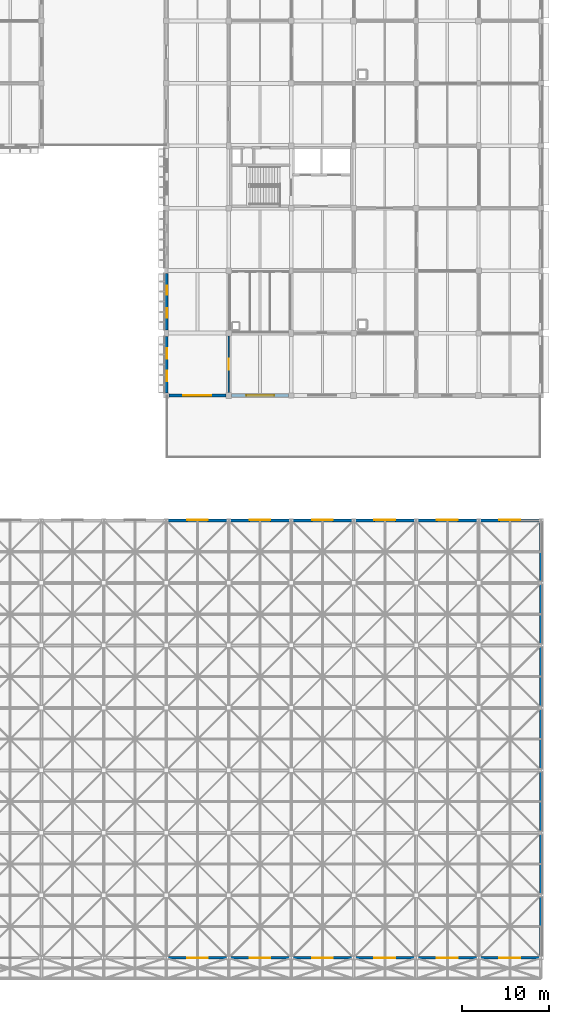
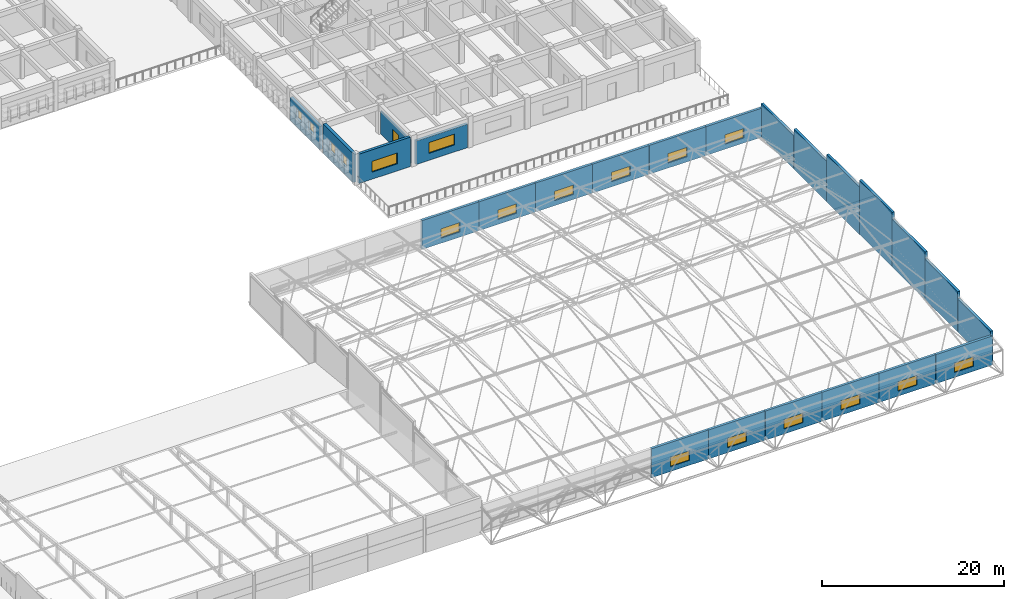
# One storey, part 91 of 103: 24 walls, 18 windows, 1 door, 19 openings.
"""IFC4 building model written with IfcOpenShell, lengths in metres."""

import ifcopenshell
import ifcopenshell.guid

model = None  # the IFC model being written
_history = None  # IfcOwnerHistory: only IFC2X3 demands one
_inside = {}  # id of a spatial element -> (the spatial element, [elements in it])
_under = {}  # id of a project, library or spatial element -> (it, [spatial elements below it])
_declared = {}  # id of a project -> (the project, [libraries it declares])
_typed = {}  # id of a type object -> (the type object, [elements of that type])
_made_of = {}  # id of a material, layer set ... -> (it, [elements and type objects made of it])


def new_model(schema):
    """Start an empty IFC model of exactly this schema.

    Asked for "IFC4X3", IfcOpenShell would pick the latest addendum, in which some entities
    have other attributes; the version numbers below select the first issue.
    IFC2X3 requires an IfcOwnerHistory on every rooted entity: one is made here for all.
    """
    global model, _history
    if schema == "IFC4X3":
        model = ifcopenshell.file(schema_version=(4, 3, 0, 0))
    else:
        model = ifcopenshell.file(schema=schema)
    _inside.clear()
    _under.clear()
    _declared.clear()
    _typed.clear()
    _made_of.clear()
    _history = None
    if model.schema == "IFC2X3":
        org = make("IfcOrganization", Name="unknown")
        user = make(
            "IfcPersonAndOrganization",
            ThePerson=make("IfcPerson", FamilyName="unknown"),
            TheOrganization=org,
        )
        app = make(
            "IfcApplication",
            ApplicationDeveloper=org,
            Version="unknown",
            ApplicationFullName="unknown",
            ApplicationIdentifier="unknown",
        )
        _history = make(
            "IfcOwnerHistory",
            OwningUser=user,
            OwningApplication=app,
            ChangeAction="ADDED",
            CreationDate=0,
        )
    return model


def make(cls, **values):
    """One entity of the class cls with the attributes given. An attribute that is None is left unset."""
    return model.create_entity(
        cls, **{name: value for name, value in values.items() if value is not None}
    )


def rooted(cls, **values):
    """An entity with a GlobalId (a new one), such as an element, a storey or a relation."""
    return make(cls, GlobalId=ifcopenshell.guid.new(), OwnerHistory=_history, **values)


def si_unit(unit_type, name, prefix=None):
    """IfcSIUnit, for example si_unit("LENGTHUNIT", "METRE", prefix="MILLI")."""
    return make("IfcSIUnit", UnitType=unit_type, Prefix=prefix, Name=name)


def assignment(units):
    """IfcUnitAssignment: the units of a project."""
    return None if units is None else make("IfcUnitAssignment", Units=units)


def point(xyz):
    """IfcCartesianPoint."""
    return None if xyz is None else make("IfcCartesianPoint", Coordinates=xyz)


def direction(xyz):
    """IfcDirection."""
    return None if xyz is None else make("IfcDirection", DirectionRatios=xyz)


def frame(location, z_axis=None, x_axis=None):
    """IfcAxis2Placement3D, a coordinate frame: its origin and axes. An axis left out is left unset."""
    return make(
        "IfcAxis2Placement3D",
        Location=point(location),
        Axis=direction(z_axis),
        RefDirection=direction(x_axis),
    )


def frame_2d(location, x_axis=None):
    """IfcAxis2Placement2D, a coordinate frame in the plane: its origin and x axis."""
    return make(
        "IfcAxis2Placement2D", Location=point(location), RefDirection=direction(x_axis)
    )


def origin():
    """The frame at (0, 0, 0) with its axes left unset."""
    return frame((0.0, 0.0, 0.0))


def place(relative_to, where):
    """IfcLocalPlacement: puts the frame where relative to a parent placement (None: the world)."""
    return make(
        "IfcLocalPlacement", PlacementRelTo=relative_to, RelativePlacement=where
    )


def context(
    kind, dimensions, precision=None, world=None, true_north=None, identifier=None
):
    """IfcGeometricRepresentationContext, for example the 3D "Model" context."""
    return make(
        "IfcGeometricRepresentationContext",
        ContextIdentifier=identifier,
        ContextType=kind,
        CoordinateSpaceDimension=dimensions,
        Precision=precision,
        WorldCoordinateSystem=world,
        TrueNorth=true_north,
    )


def subcontext(parent, identifier, kind, view, scale=None):
    """IfcGeometricRepresentationSubContext, for example "Body" below "Model"."""
    return make(
        "IfcGeometricRepresentationSubContext",
        ContextIdentifier=identifier,
        ContextType=kind,
        ParentContext=parent,
        TargetScale=scale,
        TargetView=view,
    )


def project(units=None, contexts=None):
    """IfcProject with its units and contexts."""
    return rooted(
        "IfcProject",
        Name="project",
        RepresentationContexts=contexts,
        UnitsInContext=assignment(units),
    )


def spatial(cls, under=None, at=None, **own):
    """A site, building, storey or space (cls), placed at a placement, below another one or the project."""
    s = rooted(cls, ObjectPlacement=at, **own)
    if under is not None:
        _under.setdefault(under.id(), (under, []))[1].append(s)
    return s


def profile(cls, at=None, kind="AREA", **sizes):
    """A parametric profile (cls). Its sizes go by their IFC names, for example OverallWidth=200.0."""
    return make(cls, ProfileType=kind, Position=at, **sizes)


def rectangle(**sizes):
    """IfcRectangleProfileDef."""
    return profile("IfcRectangleProfileDef", **sizes)


def extrude(swept, where, along, depth):
    """IfcExtrudedAreaSolid: the profile swept, set in the frame where, extruded along a direction by depth."""
    return make(
        "IfcExtrudedAreaSolid",
        SweptArea=swept,
        Position=where,
        ExtrudedDirection=direction(along),
        Depth=depth,
    )


def shape(context_of_items, identifier, shape_type, items):
    """IfcShapeRepresentation: the items that make up one representation, for example the "Body"."""
    return make(
        "IfcShapeRepresentation",
        ContextOfItems=context_of_items,
        RepresentationIdentifier=identifier,
        RepresentationType=shape_type,
        Items=items,
    )


def material(Name=None, Category=None):
    """IfcMaterial."""
    return make("IfcMaterial", Name=Name, Category=Category)


def layer(
    of_material, thickness, ventilated=None, Name=None, Category=None, Priority=None
):
    """IfcMaterialLayer: one layer of a wall or slab, of a material (None: an air gap)."""
    return make(
        "IfcMaterialLayer",
        Material=of_material,
        LayerThickness=thickness,
        IsVentilated=ventilated,
        Name=Name,
        Category=Category,
        Priority=Priority,
    )


def layer_set(layers, Name=None):
    """IfcMaterialLayerSet."""
    return make("IfcMaterialLayerSet", MaterialLayers=layers, LayerSetName=Name)


def made_of(thing, what):
    """Note that an element or type object is made of a material, layer set ...; save() writes the relation."""
    if what is not None:
        _made_of.setdefault(what.id(), (what, []))[1].append(thing)
    return thing


def type_object(cls, material=None, **own):
    """A type object (cls), such as IfcWallType, which elements share."""
    return made_of(rooted(cls, **own), material)


def element(
    cls,
    number,
    at=None,
    inside=None,
    cuts=None,
    type_object=None,
    material=None,
    context=None,
    identifier="Body",
    shape_type=None,
    held_by="IfcProductDefinitionShape",
    body=None,
    shapes=None,
    **own,
):
    """One element of the class cls, such as IfcWall. Its Tag is "e" and its number.

    at: its placement. inside: the storey or other place that contains it. cuts: it is an
    opening in that element (IfcRelVoidsElement). A single representation is given by context,
    identifier, shape_type and body (its items); several are given by shapes. held_by: the class
    of the entity that holds the representations. save() writes the other relations.
    """
    e = rooted(cls, Tag="e%d" % number, ObjectPlacement=at, **own)
    if body is not None:
        shapes = [shape(context, identifier, shape_type, body)]
    if shapes is not None:
        e.Representation = make(held_by, Representations=shapes)
    if inside is not None:
        _inside.setdefault(inside.id(), (inside, []))[1].append(e)
    if cuts is not None:
        rooted(
            "IfcRelVoidsElement", RelatingBuildingElement=cuts, RelatedOpeningElement=e
        )
    if type_object is not None:
        _typed.setdefault(type_object.id(), (type_object, []))[1].append(e)
    return made_of(e, material)


def fill(opening, filler):
    """IfcRelFillsElement: the door or window that sits in an opening."""
    return rooted(
        "IfcRelFillsElement",
        RelatingOpeningElement=opening,
        RelatedBuildingElement=filler,
    )


def aggregate(whole, parts):
    """IfcRelAggregates: a whole, such as a stair, and the parts it consists of."""
    return rooted("IfcRelAggregates", RelatingObject=whole, RelatedObjects=parts)


def save(model, path):
    """Write the relations noted so far, then the file.

    IfcRelAggregates (storeys below a building ...), IfcRelContainedInSpatialStructure (elements
    in a storey), IfcRelDefinesByType, IfcRelAssociatesMaterial and IfcRelDeclares: one each for
    every whole, place, type object, material and project.
    """
    for whole, parts in _under.values():
        aggregate(whole, parts)
    for where, things in _inside.values():
        rooted(
            "IfcRelContainedInSpatialStructure",
            RelatedElements=things,
            RelatingStructure=where,
        )
    for kind, things in _typed.values():
        rooted("IfcRelDefinesByType", RelatedObjects=things, RelatingType=kind)
    for what, things in _made_of.values():
        rooted("IfcRelAssociatesMaterial", RelatedObjects=things, RelatingMaterial=what)
    for by, libraries in _declared.values():
        rooted("IfcRelDeclares", RelatingContext=by, RelatedDefinitions=libraries)
    model.write(path)


model = new_model("IFC4")

# Units and contexts
model_context = context("Model", 3, precision=1e-05, world=origin(), true_north=direction((0.0, 1.0)))
body_context = subcontext(model_context, "Body", "Model", "MODEL_VIEW")
ifc_project = project(units=[si_unit("LENGTHUNIT", "METRE"), si_unit("AREAUNIT", "SQUARE_METRE"), si_unit("VOLUMEUNIT", "CUBIC_METRE"), si_unit("PLANEANGLEUNIT", "RADIAN"), si_unit("MASSUNIT", "GRAM", prefix="KILO")], contexts=[model_context])

# Site, building, storey
site_placement = place(None, origin())
site = spatial("IfcSite", under=ifc_project, at=site_placement, CompositionType="ELEMENT")
building_placement = place(site_placement, origin())
building = spatial("IfcBuilding", under=site, at=building_placement, Name="Thalmaran Polytechnic", CompositionType="ELEMENT")
storey_placement = place(building_placement, frame((0.0, 0.0, 14.39990234375)))
storey = spatial("IfcBuildingStorey", under=building, at=storey_placement, Name="L03", CompositionType="ELEMENT", Elevation=14.39990234375)

# Wall, openings, windows
ifc_material_1 = material(Name="Precast concrete C40/50", Category="concrete")
ifc_layer_1 = layer(ifc_material_1, 0.360107421875, Name="Precast concrete C40/50")
ifc_layer_set_1 = layer_set([ifc_layer_1], Name="Precast concrete C40/50")
wall_type_1 = type_object("IfcWallType", Name="WL-EW01", PredefinedType="STANDARD", material=ifc_layer_set_1)
wall_1_placement = place(storey_placement, frame((129.60009765625, 65.10009765625, 0.0), z_axis=(0.0, 0.0, 1.0), x_axis=(0.0, 1.0, 0.0)))
wall_1 = element("IfcWall", 1, at=wall_1_placement, inside=storey, type_object=wall_type_1, Name="Exterior Precast Facade Wall L03-024", PredefinedType="STANDARD", context=body_context, shape_type="SweptSolid", body=[
    extrude(rectangle(XDim=6.52490234375, YDim=0.360107421875, at=frame_2d((3.262451171875, 0.0))), origin(), (0.0, 0.0, 1.0), 3.940185546875),
])
opening_1_placement = place(wall_1_placement, frame((1.357421875, 0.0, 1.14990234375)))
opening_1 = element("IfcOpeningElement", 2, at=opening_1_placement, cuts=wall_1, Name="Opening PW11", PredefinedType="OPENING", context=body_context, shape_type="SweptSolid", body=[
    extrude(rectangle(XDim=1.199951171875, YDim=1.35009765625, at=frame_2d((0.60009765625, 0.675048828125))), frame((0.0, 0.18994140625, 0.0), z_axis=(0.0, -1.0, 0.0), x_axis=(1.0, 0.0, 0.0)), (0.0, 0.0, 1.0), 0.380126953125),
])
opening_2_placement = place(wall_1_placement, frame((3.967529296875, 0.0, 1.14990234375)))
opening_2 = element("IfcOpeningElement", 3, at=opening_2_placement, cuts=wall_1, Name="Opening PW11", PredefinedType="OPENING", context=body_context, shape_type="SweptSolid", body=[
    extrude(rectangle(XDim=1.199951171875, YDim=1.35009765625, at=frame_2d((0.60009765625, 0.675048828125))), frame((0.0, 0.18994140625, 0.0), z_axis=(0.0, -1.0, 0.0), x_axis=(1.0, 0.0, 0.0)), (0.0, 0.0, 1.0), 0.380126953125),
])
ifc_material_2 = material(Name="Thermally broken aluminium and double low-E glass", Category="aluminium")
window_type_1 = type_object("IfcWindowType", Name="WN-PW01", PartitioningType="SINGLE_PANEL", PredefinedType="WINDOW", material=ifc_material_2)
window_1_placement = place(opening_1_placement, origin())
window_1 = element("IfcWindow", 4, at=window_1_placement, inside=storey, type_object=window_type_1, Name="Deep-Set Solar-Screened Window W-0411", OverallHeight=1.35009765625, OverallWidth=1.199951171875, PartitioningType="SINGLE_PANEL", PredefinedType="WINDOW", context=body_context, shape_type="SweptSolid", body=[
    extrude(rectangle(XDim=1.199951171875, YDim=1.35009765625, at=frame_2d((0.60009765625, 0.675048828125))), frame((0.0, -0.080078125, 0.0), z_axis=(0.0, -1.0, 0.0), x_axis=(1.0, 0.0, 0.0)), (0.0, 0.0, 1.0), 0.06005859375),
])
fill(opening_1, window_1)
window_2_placement = place(opening_2_placement, origin())
window_2 = element("IfcWindow", 5, at=window_2_placement, inside=storey, type_object=window_type_1, Name="Deep-Set Solar-Screened Window W-0412", OverallHeight=1.35009765625, OverallWidth=1.199951171875, PartitioningType="SINGLE_PANEL", PredefinedType="WINDOW", context=body_context, shape_type="SweptSolid", body=[
    extrude(rectangle(XDim=1.199951171875, YDim=1.35009765625, at=frame_2d((0.60009765625, 0.675048828125))), frame((0.0, -0.080078125, 0.0), z_axis=(0.0, -1.0, 0.0), x_axis=(1.0, 0.0, 0.0)), (0.0, 0.0, 1.0), 0.06005859375),
])
fill(opening_2, window_2)

wall_2_placement = place(storey_placement, frame((129.60009765625, 72.375, 0.0), z_axis=(0.0, 0.0, 1.0), x_axis=(0.0, 1.0, 0.0)))
wall_2 = element("IfcWall", 6, at=wall_2_placement, inside=storey, type_object=wall_type_1, Name="Exterior Precast Facade Wall L03-025", PredefinedType="STANDARD", context=body_context, shape_type="SweptSolid", body=[
    extrude(rectangle(XDim=6.5048828125, YDim=0.360107421875, at=frame_2d((3.25244140625, 0.0))), origin(), (0.0, 0.0, 1.0), 3.110107421875),
])
opening_3_placement = place(wall_2_placement, frame((1.426513671875, 0.0, 1.14990234375)))
opening_3 = element("IfcOpeningElement", 7, at=opening_3_placement, cuts=wall_2, Name="Opening PW12", PredefinedType="OPENING", context=body_context, shape_type="SweptSolid", body=[
    extrude(rectangle(XDim=1.050048828125, YDim=1.35009765625, at=frame_2d((0.52490234375, 0.675048828125))), frame((0.0, 0.18994140625, 0.0), z_axis=(0.0, -1.0, 0.0), x_axis=(1.0, 0.0, 0.0)), (0.0, 0.0, 1.0), 0.380126953125),
])
opening_4_placement = place(wall_2_placement, frame((4.028564453125, 0.0, 1.14990234375)))
opening_4 = element("IfcOpeningElement", 8, at=opening_4_placement, cuts=wall_2, Name="Opening PW12", PredefinedType="OPENING", context=body_context, shape_type="SweptSolid", body=[
    extrude(rectangle(XDim=1.050048828125, YDim=1.35009765625, at=frame_2d((0.52490234375, 0.675048828125))), frame((0.0, 0.18994140625, 0.0), z_axis=(0.0, -1.0, 0.0), x_axis=(1.0, 0.0, 0.0)), (0.0, 0.0, 1.0), 0.380126953125),
])
window_type_2 = type_object("IfcWindowType", Name="WN-PW02", PartitioningType="SINGLE_PANEL", PredefinedType="WINDOW", material=ifc_material_2)
window_3_placement = place(opening_3_placement, origin())
window_3 = element("IfcWindow", 9, at=window_3_placement, inside=storey, type_object=window_type_2, Name="Deep-Set Solar-Screened Window W-0413", OverallHeight=1.35009765625, OverallWidth=1.050048828125, PartitioningType="SINGLE_PANEL", PredefinedType="WINDOW", context=body_context, shape_type="SweptSolid", body=[
    extrude(rectangle(XDim=1.050048828125, YDim=1.35009765625, at=frame_2d((0.52490234375, 0.675048828125))), frame((0.0, -0.080078125, 0.0), z_axis=(0.0, -1.0, 0.0), x_axis=(1.0, 0.0, 0.0)), (0.0, 0.0, 1.0), 0.06005859375),
])
fill(opening_3, window_3)
window_4_placement = place(opening_4_placement, origin())
window_4 = element("IfcWindow", 10, at=window_4_placement, inside=storey, type_object=window_type_2, Name="Deep-Set Solar-Screened Window W-0414", OverallHeight=1.35009765625, OverallWidth=1.050048828125, PartitioningType="SINGLE_PANEL", PredefinedType="WINDOW", context=body_context, shape_type="SweptSolid", body=[
    extrude(rectangle(XDim=1.050048828125, YDim=1.35009765625, at=frame_2d((0.52490234375, 0.675048828125))), frame((0.0, -0.080078125, 0.0), z_axis=(0.0, -1.0, 0.0), x_axis=(1.0, 0.0, 0.0)), (0.0, 0.0, 1.0), 0.06005859375),
])
fill(opening_4, window_4)

# Wall, opening, window
ifc_layer_2 = layer(ifc_material_1, 0.330078125, Name="Precast concrete C40/50")
ifc_layer_set_2 = layer_set([ifc_layer_2], Name="Precast concrete C40/50")
wall_type_2 = type_object("IfcWallType", Name="WL-EW02", PredefinedType="STANDARD", material=ifc_layer_set_2)
wall_3_placement = place(storey_placement, frame((129.610107421875, 0.0, -0.02001953125), z_axis=(0.0, 0.0, 1.0), x_axis=(1.0, 0.0, 0.0)))
wall_3 = element("IfcWall", 11, at=wall_3_placement, inside=storey, type_object=wall_type_2, Name="Workshop Space-Frame Eave Clerestory Wall S-18", PredefinedType="STANDARD", context=body_context, shape_type="SweptSolid", body=[
    extrude(rectangle(XDim=7.179931640625, YDim=0.320068359375, at=frame_2d((3.58984375, 0.0))), origin(), (0.0, 0.0, 1.0), 3.89013671875),
])
opening_5_placement = place(wall_3_placement, frame((2.389892578125, 0.0, 0.679931640625)))
opening_5 = element("IfcOpeningElement", 12, at=opening_5_placement, cuts=wall_3, Name="Opening CL03", PredefinedType="OPENING", context=body_context, shape_type="SweptSolid", body=[
    extrude(rectangle(XDim=2.39990234375, YDim=1.25, at=frame_2d((1.199951171875, 0.625))), frame((0.0, 0.169921875, 0.0), z_axis=(0.0, -1.0, 0.0), x_axis=(1.0, 0.0, 0.0)), (0.0, 0.0, 1.0), 0.340087890625),
])
window_type_3 = type_object("IfcWindowType", Name="WN-CL03", PartitioningType="DOUBLE_PANEL_VERTICAL", PredefinedType="WINDOW", material=ifc_material_2)
window_5_placement = place(opening_5_placement, origin())
window_5 = element("IfcWindow", 13, at=window_5_placement, inside=storey, type_object=window_type_3, Name="Workshop High-Bay Eave Clerestory S-18", OverallHeight=1.25, OverallWidth=2.39990234375, PartitioningType="SINGLE_PANEL", PredefinedType="WINDOW", context=body_context, shape_type="SweptSolid", body=[
    extrude(rectangle(XDim=2.39990234375, YDim=1.25, at=frame_2d((1.199951171875, 0.625))), frame((0.0, -0.010009765625, 0.0), z_axis=(0.0, -1.0, 0.0), x_axis=(1.0, 0.0, 0.0)), (0.0, 0.0, 1.0), 0.06005859375),
])
fill(opening_5, window_5)

wall_4_placement = place(storey_placement, frame((136.7900390625, 50.39990234375, 0.0), z_axis=(0.0, 0.0, 1.0), x_axis=(-1.0, 0.0, 0.0)))
wall_4 = element("IfcWall", 14, at=wall_4_placement, inside=storey, type_object=wall_type_2, Name="Workshop Space-Frame Eave Clerestory Wall N-18", PredefinedType="STANDARD", context=body_context, shape_type="SweptSolid", body=[
    extrude(rectangle(XDim=7.179931640625, YDim=0.320068359375, at=frame_2d((3.58984375, 0.0))), origin(), (0.0, 0.0, 1.0), 3.8701171875),
])
opening_6_placement = place(wall_4_placement, frame((2.389892578125, 0.0, 0.679931640625)))
opening_6 = element("IfcOpeningElement", 15, at=opening_6_placement, cuts=wall_4, Name="Opening CL03", PredefinedType="OPENING", context=body_context, shape_type="SweptSolid", body=[
    extrude(rectangle(XDim=2.39990234375, YDim=1.25, at=frame_2d((1.199951171875, 0.625))), frame((0.0, 0.169921875, 0.0), z_axis=(0.0, -1.0, 0.0), x_axis=(1.0, 0.0, 0.0)), (0.0, 0.0, 1.0), 0.340087890625),
])
window_6_placement = place(opening_6_placement, origin())
window_6 = element("IfcWindow", 16, at=window_6_placement, inside=storey, type_object=window_type_3, Name="Workshop High-Bay Eave Clerestory N-18", OverallHeight=1.25, OverallWidth=2.39990234375, PartitioningType="SINGLE_PANEL", PredefinedType="WINDOW", context=body_context, shape_type="SweptSolid", body=[
    extrude(rectangle(XDim=2.39990234375, YDim=1.25, at=frame_2d((1.199951171875, 0.625))), frame((0.0, -0.010009765625, 0.0), z_axis=(0.0, -1.0, 0.0), x_axis=(1.0, 0.0, 0.0)), (0.0, 0.0, 1.0), 0.06005859375),
])
fill(opening_6, window_6)

wall_5_placement = place(storey_placement, frame((136.81005859375, 0.0, -0.02001953125), z_axis=(0.0, 0.0, 1.0), x_axis=(1.0, 0.0, 0.0)))
wall_5 = element("IfcWall", 17, at=wall_5_placement, inside=storey, type_object=wall_type_2, Name="Workshop Space-Frame Eave Clerestory Wall S-19", PredefinedType="STANDARD", context=body_context, shape_type="SweptSolid", body=[
    extrude(rectangle(XDim=7.179931640625, YDim=0.320068359375, at=frame_2d((3.58984375, 0.0))), origin(), (0.0, 0.0, 1.0), 3.89013671875),
])
opening_7_placement = place(wall_5_placement, frame((2.389892578125, 0.0, 0.679931640625)))
opening_7 = element("IfcOpeningElement", 18, at=opening_7_placement, cuts=wall_5, Name="Opening CL03", PredefinedType="OPENING", context=body_context, shape_type="SweptSolid", body=[
    extrude(rectangle(XDim=2.39990234375, YDim=1.25, at=frame_2d((1.199951171875, 0.625))), frame((0.0, 0.169921875, 0.0), z_axis=(0.0, -1.0, 0.0), x_axis=(1.0, 0.0, 0.0)), (0.0, 0.0, 1.0), 0.340087890625),
])
window_7_placement = place(opening_7_placement, origin())
window_7 = element("IfcWindow", 19, at=window_7_placement, inside=storey, type_object=window_type_3, Name="Workshop High-Bay Eave Clerestory S-19", OverallHeight=1.25, OverallWidth=2.39990234375, PartitioningType="SINGLE_PANEL", PredefinedType="WINDOW", context=body_context, shape_type="SweptSolid", body=[
    extrude(rectangle(XDim=2.39990234375, YDim=1.25, at=frame_2d((1.199951171875, 0.625))), frame((0.0, -0.010009765625, 0.0), z_axis=(0.0, -1.0, 0.0), x_axis=(1.0, 0.0, 0.0)), (0.0, 0.0, 1.0), 0.06005859375),
])
fill(opening_7, window_7)

wall_6_placement = place(storey_placement, frame((143.989990234375, 50.39990234375, 0.0), z_axis=(0.0, 0.0, 1.0), x_axis=(-1.0, 0.0, 0.0)))
wall_6 = element("IfcWall", 20, at=wall_6_placement, inside=storey, type_object=wall_type_2, Name="Workshop Space-Frame Eave Clerestory Wall N-19", PredefinedType="STANDARD", context=body_context, shape_type="SweptSolid", body=[
    extrude(rectangle(XDim=7.179931640625, YDim=0.320068359375, at=frame_2d((3.58984375, 0.0))), origin(), (0.0, 0.0, 1.0), 3.8701171875),
])
opening_8_placement = place(wall_6_placement, frame((2.389892578125, 0.0, 0.679931640625)))
opening_8 = element("IfcOpeningElement", 21, at=opening_8_placement, cuts=wall_6, Name="Opening CL03", PredefinedType="OPENING", context=body_context, shape_type="SweptSolid", body=[
    extrude(rectangle(XDim=2.39990234375, YDim=1.25, at=frame_2d((1.199951171875, 0.625))), frame((0.0, 0.169921875, 0.0), z_axis=(0.0, -1.0, 0.0), x_axis=(1.0, 0.0, 0.0)), (0.0, 0.0, 1.0), 0.340087890625),
])
window_8_placement = place(opening_8_placement, origin())
window_8 = element("IfcWindow", 22, at=window_8_placement, inside=storey, type_object=window_type_3, Name="Workshop High-Bay Eave Clerestory N-19", OverallHeight=1.25, OverallWidth=2.39990234375, PartitioningType="SINGLE_PANEL", PredefinedType="WINDOW", context=body_context, shape_type="SweptSolid", body=[
    extrude(rectangle(XDim=2.39990234375, YDim=1.25, at=frame_2d((1.199951171875, 0.625))), frame((0.0, -0.010009765625, 0.0), z_axis=(0.0, -1.0, 0.0), x_axis=(1.0, 0.0, 0.0)), (0.0, 0.0, 1.0), 0.06005859375),
])
fill(opening_8, window_8)

wall_7_placement = place(storey_placement, frame((144.010009765625, 0.0, -0.02001953125), z_axis=(0.0, 0.0, 1.0), x_axis=(1.0, 0.0, 0.0)))
wall_7 = element("IfcWall", 23, at=wall_7_placement, inside=storey, type_object=wall_type_2, Name="Workshop Space-Frame Eave Clerestory Wall S-20", PredefinedType="STANDARD", context=body_context, shape_type="SweptSolid", body=[
    extrude(rectangle(XDim=7.179931640625, YDim=0.320068359375, at=frame_2d((3.58984375, 0.0))), origin(), (0.0, 0.0, 1.0), 3.89013671875),
])
opening_9_placement = place(wall_7_placement, frame((2.389892578125, 0.0, 0.679931640625)))
opening_9 = element("IfcOpeningElement", 24, at=opening_9_placement, cuts=wall_7, Name="Opening CL03", PredefinedType="OPENING", context=body_context, shape_type="SweptSolid", body=[
    extrude(rectangle(XDim=2.39990234375, YDim=1.25, at=frame_2d((1.199951171875, 0.625))), frame((0.0, 0.169921875, 0.0), z_axis=(0.0, -1.0, 0.0), x_axis=(1.0, 0.0, 0.0)), (0.0, 0.0, 1.0), 0.340087890625),
])
window_9_placement = place(opening_9_placement, origin())
window_9 = element("IfcWindow", 25, at=window_9_placement, inside=storey, type_object=window_type_3, Name="Workshop High-Bay Eave Clerestory S-20", OverallHeight=1.25, OverallWidth=2.39990234375, PartitioningType="SINGLE_PANEL", PredefinedType="WINDOW", context=body_context, shape_type="SweptSolid", body=[
    extrude(rectangle(XDim=2.39990234375, YDim=1.25, at=frame_2d((1.199951171875, 0.625))), frame((0.0, -0.010009765625, 0.0), z_axis=(0.0, -1.0, 0.0), x_axis=(1.0, 0.0, 0.0)), (0.0, 0.0, 1.0), 0.06005859375),
])
fill(opening_9, window_9)

wall_8_placement = place(storey_placement, frame((151.18994140625, 50.39990234375, 0.0), z_axis=(0.0, 0.0, 1.0), x_axis=(-1.0, 0.0, 0.0)))
wall_8 = element("IfcWall", 26, at=wall_8_placement, inside=storey, type_object=wall_type_2, Name="Workshop Space-Frame Eave Clerestory Wall N-20", PredefinedType="STANDARD", context=body_context, shape_type="SweptSolid", body=[
    extrude(rectangle(XDim=7.179931640625, YDim=0.320068359375, at=frame_2d((3.58984375, 0.0))), origin(), (0.0, 0.0, 1.0), 3.8701171875),
])
opening_10_placement = place(wall_8_placement, frame((2.389892578125, 0.0, 0.679931640625)))
opening_10 = element("IfcOpeningElement", 27, at=opening_10_placement, cuts=wall_8, Name="Opening CL03", PredefinedType="OPENING", context=body_context, shape_type="SweptSolid", body=[
    extrude(rectangle(XDim=2.39990234375, YDim=1.25, at=frame_2d((1.199951171875, 0.625))), frame((0.0, 0.169921875, 0.0), z_axis=(0.0, -1.0, 0.0), x_axis=(1.0, 0.0, 0.0)), (0.0, 0.0, 1.0), 0.340087890625),
])
window_10_placement = place(opening_10_placement, origin())
window_10 = element("IfcWindow", 28, at=window_10_placement, inside=storey, type_object=window_type_3, Name="Workshop High-Bay Eave Clerestory N-20", OverallHeight=1.25, OverallWidth=2.39990234375, PartitioningType="SINGLE_PANEL", PredefinedType="WINDOW", context=body_context, shape_type="SweptSolid", body=[
    extrude(rectangle(XDim=2.39990234375, YDim=1.25, at=frame_2d((1.199951171875, 0.625))), frame((0.0, -0.010009765625, 0.0), z_axis=(0.0, -1.0, 0.0), x_axis=(1.0, 0.0, 0.0)), (0.0, 0.0, 1.0), 0.06005859375),
])
fill(opening_10, window_10)

wall_9_placement = place(storey_placement, frame((151.2099609375, 0.0, -0.02001953125), z_axis=(0.0, 0.0, 1.0), x_axis=(1.0, 0.0, 0.0)))
wall_9 = element("IfcWall", 29, at=wall_9_placement, inside=storey, type_object=wall_type_2, Name="Workshop Space-Frame Eave Clerestory Wall S-21", PredefinedType="STANDARD", context=body_context, shape_type="SweptSolid", body=[
    extrude(rectangle(XDim=7.179931640625, YDim=0.320068359375, at=frame_2d((3.58984375, 0.0))), origin(), (0.0, 0.0, 1.0), 3.89013671875),
])
opening_11_placement = place(wall_9_placement, frame((2.389892578125, 0.0, 0.679931640625)))
opening_11 = element("IfcOpeningElement", 30, at=opening_11_placement, cuts=wall_9, Name="Opening CL03", PredefinedType="OPENING", context=body_context, shape_type="SweptSolid", body=[
    extrude(rectangle(XDim=2.39990234375, YDim=1.25, at=frame_2d((1.199951171875, 0.625))), frame((0.0, 0.169921875, 0.0), z_axis=(0.0, -1.0, 0.0), x_axis=(1.0, 0.0, 0.0)), (0.0, 0.0, 1.0), 0.340087890625),
])
window_11_placement = place(opening_11_placement, origin())
window_11 = element("IfcWindow", 31, at=window_11_placement, inside=storey, type_object=window_type_3, Name="Workshop High-Bay Eave Clerestory S-21", OverallHeight=1.25, OverallWidth=2.39990234375, PartitioningType="SINGLE_PANEL", PredefinedType="WINDOW", context=body_context, shape_type="SweptSolid", body=[
    extrude(rectangle(XDim=2.39990234375, YDim=1.25, at=frame_2d((1.199951171875, 0.625))), frame((0.0, -0.010009765625, 0.0), z_axis=(0.0, -1.0, 0.0), x_axis=(1.0, 0.0, 0.0)), (0.0, 0.0, 1.0), 0.06005859375),
])
fill(opening_11, window_11)

wall_10_placement = place(storey_placement, frame((158.389892578125, 50.39990234375, 0.0), z_axis=(0.0, 0.0, 1.0), x_axis=(-1.0, 0.0, 0.0)))
wall_10 = element("IfcWall", 32, at=wall_10_placement, inside=storey, type_object=wall_type_2, Name="Workshop Space-Frame Eave Clerestory Wall N-21", PredefinedType="STANDARD", context=body_context, shape_type="SweptSolid", body=[
    extrude(rectangle(XDim=7.179931640625, YDim=0.320068359375, at=frame_2d((3.58984375, 0.0))), origin(), (0.0, 0.0, 1.0), 3.8701171875),
])
opening_12_placement = place(wall_10_placement, frame((2.389892578125, 0.0, 0.679931640625)))
opening_12 = element("IfcOpeningElement", 33, at=opening_12_placement, cuts=wall_10, Name="Opening CL03", PredefinedType="OPENING", context=body_context, shape_type="SweptSolid", body=[
    extrude(rectangle(XDim=2.39990234375, YDim=1.25, at=frame_2d((1.199951171875, 0.625))), frame((0.0, 0.169921875, 0.0), z_axis=(0.0, -1.0, 0.0), x_axis=(1.0, 0.0, 0.0)), (0.0, 0.0, 1.0), 0.340087890625),
])
window_12_placement = place(opening_12_placement, origin())
window_12 = element("IfcWindow", 34, at=window_12_placement, inside=storey, type_object=window_type_3, Name="Workshop High-Bay Eave Clerestory N-21", OverallHeight=1.25, OverallWidth=2.39990234375, PartitioningType="SINGLE_PANEL", PredefinedType="WINDOW", context=body_context, shape_type="SweptSolid", body=[
    extrude(rectangle(XDim=2.39990234375, YDim=1.25, at=frame_2d((1.199951171875, 0.625))), frame((0.0, -0.010009765625, 0.0), z_axis=(0.0, -1.0, 0.0), x_axis=(1.0, 0.0, 0.0)), (0.0, 0.0, 1.0), 0.06005859375),
])
fill(opening_12, window_12)

wall_11_placement = place(storey_placement, frame((158.409912109375, 0.0, -0.02001953125), z_axis=(0.0, 0.0, 1.0), x_axis=(1.0, 0.0, 0.0)))
wall_11 = element("IfcWall", 35, at=wall_11_placement, inside=storey, type_object=wall_type_2, Name="Workshop Space-Frame Eave Clerestory Wall S-22", PredefinedType="STANDARD", context=body_context, shape_type="SweptSolid", body=[
    extrude(rectangle(XDim=7.18017578125, YDim=0.320068359375, at=frame_2d((3.590087890625, 0.0))), origin(), (0.0, 0.0, 1.0), 3.89013671875),
])
opening_13_placement = place(wall_11_placement, frame((2.389892578125, 0.0, 0.679931640625)))
opening_13 = element("IfcOpeningElement", 36, at=opening_13_placement, cuts=wall_11, Name="Opening CL03", PredefinedType="OPENING", context=body_context, shape_type="SweptSolid", body=[
    extrude(rectangle(XDim=2.39990234375, YDim=1.25, at=frame_2d((1.199951171875, 0.625))), frame((0.0, 0.169921875, 0.0), z_axis=(0.0, -1.0, 0.0), x_axis=(1.0, 0.0, 0.0)), (0.0, 0.0, 1.0), 0.340087890625),
])
window_13_placement = place(opening_13_placement, origin())
window_13 = element("IfcWindow", 37, at=window_13_placement, inside=storey, type_object=window_type_3, Name="Workshop High-Bay Eave Clerestory S-22", OverallHeight=1.25, OverallWidth=2.39990234375, PartitioningType="SINGLE_PANEL", PredefinedType="WINDOW", context=body_context, shape_type="SweptSolid", body=[
    extrude(rectangle(XDim=2.39990234375, YDim=1.25, at=frame_2d((1.199951171875, 0.625))), frame((0.0, -0.010009765625, 0.0), z_axis=(0.0, -1.0, 0.0), x_axis=(1.0, 0.0, 0.0)), (0.0, 0.0, 1.0), 0.06005859375),
])
fill(opening_13, window_13)

wall_12_placement = place(storey_placement, frame((165.590087890625, 50.39990234375, 0.0), z_axis=(0.0, 0.0, 1.0), x_axis=(-1.0, 0.0, 0.0)))
wall_12 = element("IfcWall", 38, at=wall_12_placement, inside=storey, type_object=wall_type_2, Name="Workshop Space-Frame Eave Clerestory Wall N-22", PredefinedType="STANDARD", context=body_context, shape_type="SweptSolid", body=[
    extrude(rectangle(XDim=7.18017578125, YDim=0.320068359375, at=frame_2d((3.590087890625, 0.0))), origin(), (0.0, 0.0, 1.0), 3.8701171875),
])
opening_14_placement = place(wall_12_placement, frame((2.389892578125, 0.0, 0.679931640625)))
opening_14 = element("IfcOpeningElement", 39, at=opening_14_placement, cuts=wall_12, Name="Opening CL03", PredefinedType="OPENING", context=body_context, shape_type="SweptSolid", body=[
    extrude(rectangle(XDim=2.39990234375, YDim=1.25, at=frame_2d((1.199951171875, 0.625))), frame((0.0, 0.169921875, 0.0), z_axis=(0.0, -1.0, 0.0), x_axis=(1.0, 0.0, 0.0)), (0.0, 0.0, 1.0), 0.340087890625),
])
window_14_placement = place(opening_14_placement, origin())
window_14 = element("IfcWindow", 40, at=window_14_placement, inside=storey, type_object=window_type_3, Name="Workshop High-Bay Eave Clerestory N-22", OverallHeight=1.25, OverallWidth=2.39990234375, PartitioningType="SINGLE_PANEL", PredefinedType="WINDOW", context=body_context, shape_type="SweptSolid", body=[
    extrude(rectangle(XDim=2.39990234375, YDim=1.25, at=frame_2d((1.199951171875, 0.625))), frame((0.0, -0.010009765625, 0.0), z_axis=(0.0, -1.0, 0.0), x_axis=(1.0, 0.0, 0.0)), (0.0, 0.0, 1.0), 0.06005859375),
])
fill(opening_14, window_14)

wall_13_placement = place(storey_placement, frame((165.610107421875, 0.0, -0.02001953125), z_axis=(0.0, 0.0, 1.0), x_axis=(1.0, 0.0, 0.0)))
wall_13 = element("IfcWall", 41, at=wall_13_placement, inside=storey, type_object=wall_type_2, Name="Workshop Space-Frame Eave Clerestory Wall S-23", PredefinedType="STANDARD", context=body_context, shape_type="SweptSolid", body=[
    extrude(rectangle(XDim=7.179931640625, YDim=0.320068359375, at=frame_2d((3.58984375, 0.0))), origin(), (0.0, 0.0, 1.0), 3.89013671875),
])
opening_15_placement = place(wall_13_placement, frame((2.389892578125, 0.0, 0.679931640625)))
opening_15 = element("IfcOpeningElement", 42, at=opening_15_placement, cuts=wall_13, Name="Opening CL03", PredefinedType="OPENING", context=body_context, shape_type="SweptSolid", body=[
    extrude(rectangle(XDim=2.39990234375, YDim=1.25, at=frame_2d((1.199951171875, 0.625))), frame((0.0, 0.169921875, 0.0), z_axis=(0.0, -1.0, 0.0), x_axis=(1.0, 0.0, 0.0)), (0.0, 0.0, 1.0), 0.340087890625),
])
window_15_placement = place(opening_15_placement, origin())
window_15 = element("IfcWindow", 43, at=window_15_placement, inside=storey, type_object=window_type_3, Name="Workshop High-Bay Eave Clerestory S-23", OverallHeight=1.25, OverallWidth=2.39990234375, PartitioningType="SINGLE_PANEL", PredefinedType="WINDOW", context=body_context, shape_type="SweptSolid", body=[
    extrude(rectangle(XDim=2.39990234375, YDim=1.25, at=frame_2d((1.199951171875, 0.625))), frame((0.0, -0.010009765625, 0.0), z_axis=(0.0, -1.0, 0.0), x_axis=(1.0, 0.0, 0.0)), (0.0, 0.0, 1.0), 0.06005859375),
])
fill(opening_15, window_15)

wall_14_placement = place(storey_placement, frame((172.7900390625, 50.39990234375, 0.0), z_axis=(0.0, 0.0, 1.0), x_axis=(-1.0, 0.0, 0.0)))
wall_14 = element("IfcWall", 44, at=wall_14_placement, inside=storey, type_object=wall_type_2, Name="Workshop Space-Frame Eave Clerestory Wall N-23", PredefinedType="STANDARD", context=body_context, shape_type="SweptSolid", body=[
    extrude(rectangle(XDim=7.179931640625, YDim=0.320068359375, at=frame_2d((3.58984375, 0.0))), origin(), (0.0, 0.0, 1.0), 3.8701171875),
])
opening_16_placement = place(wall_14_placement, frame((2.389892578125, 0.0, 0.679931640625)))
opening_16 = element("IfcOpeningElement", 45, at=opening_16_placement, cuts=wall_14, Name="Opening CL03", PredefinedType="OPENING", context=body_context, shape_type="SweptSolid", body=[
    extrude(rectangle(XDim=2.39990234375, YDim=1.25, at=frame_2d((1.199951171875, 0.625))), frame((0.0, 0.169921875, 0.0), z_axis=(0.0, -1.0, 0.0), x_axis=(1.0, 0.0, 0.0)), (0.0, 0.0, 1.0), 0.340087890625),
])
window_16_placement = place(opening_16_placement, origin())
window_16 = element("IfcWindow", 46, at=window_16_placement, inside=storey, type_object=window_type_3, Name="Workshop High-Bay Eave Clerestory N-23", OverallHeight=1.25, OverallWidth=2.39990234375, PartitioningType="SINGLE_PANEL", PredefinedType="WINDOW", context=body_context, shape_type="SweptSolid", body=[
    extrude(rectangle(XDim=2.39990234375, YDim=1.25, at=frame_2d((1.199951171875, 0.625))), frame((0.0, -0.010009765625, 0.0), z_axis=(0.0, -1.0, 0.0), x_axis=(1.0, 0.0, 0.0)), (0.0, 0.0, 1.0), 0.06005859375),
])
fill(opening_16, window_16)

# Walls
wall_15_placement = place(storey_placement, frame((172.800048828125, 0.010009765625, -0.02001953125), z_axis=(0.0, 0.0, 1.0), x_axis=(0.0, 1.0, 0.0)))
element("IfcWall", 47, at=wall_15_placement, inside=storey, type_object=wall_type_2, Name="Workshop Space-Frame Gable Clerestory Wall E-00", PredefinedType="STANDARD", context=body_context, shape_type="SweptSolid", body=[
    extrude(rectangle(XDim=7.179931640625, YDim=0.320068359375, at=frame_2d((3.58984375, 0.0))), origin(), (0.0, 0.0, 1.0), 4.444091796875),
])
wall_16_placement = place(storey_placement, frame((172.800048828125, 7.2099609375, -0.02001953125), z_axis=(0.0, 0.0, 1.0), x_axis=(0.0, 1.0, 0.0)))
element("IfcWall", 48, at=wall_16_placement, inside=storey, type_object=wall_type_2, Name="Workshop Space-Frame Gable Clerestory Wall E-01", PredefinedType="STANDARD", context=body_context, shape_type="SweptSolid", body=[
    extrude(rectangle(XDim=7.179931640625, YDim=0.320068359375, at=frame_2d((3.58984375, 0.0))), origin(), (0.0, 0.0, 1.0), 5.391845703125),
])
wall_17_placement = place(storey_placement, frame((172.800048828125, 14.409912109375, -0.02001953125), z_axis=(0.0, 0.0, 1.0), x_axis=(0.0, 1.0, 0.0)))
element("IfcWall", 49, at=wall_17_placement, inside=storey, type_object=wall_type_2, Name="Workshop Space-Frame Gable Clerestory Wall E-02", PredefinedType="STANDARD", context=body_context, shape_type="SweptSolid", body=[
    extrude(rectangle(XDim=7.18017578125, YDim=0.320068359375, at=frame_2d((3.590087890625, 0.0))), origin(), (0.0, 0.0, 1.0), 6.33984375),
])
wall_18_placement = place(storey_placement, frame((172.800048828125, 21.610107421875, -0.02001953125), z_axis=(0.0, 0.0, 1.0), x_axis=(0.0, 1.0, 0.0)))
element("IfcWall", 50, at=wall_18_placement, inside=storey, type_object=wall_type_2, Name="Workshop Space-Frame Gable Clerestory Wall E-03", PredefinedType="STANDARD", context=body_context, shape_type="SweptSolid", body=[
    extrude(rectangle(XDim=7.179931640625, YDim=0.320068359375, at=frame_2d((3.58984375, 0.0))), origin(), (0.0, 0.0, 1.0), 7.287841796875),
])
wall_19_placement = place(storey_placement, frame((172.800048828125, 28.81005859375, -0.02001953125), z_axis=(0.0, 0.0, 1.0), x_axis=(0.0, 1.0, 0.0)))
element("IfcWall", 51, at=wall_19_placement, inside=storey, type_object=wall_type_2, Name="Workshop Space-Frame Gable Clerestory Wall E-04", PredefinedType="STANDARD", context=body_context, shape_type="SweptSolid", body=[
    extrude(rectangle(XDim=7.179931640625, YDim=0.320068359375, at=frame_2d((3.58984375, 0.0))), origin(), (0.0, 0.0, 1.0), 6.33984375),
])
wall_20_placement = place(storey_placement, frame((172.800048828125, 36.010009765625, -0.02001953125), z_axis=(0.0, 0.0, 1.0), x_axis=(0.0, 1.0, 0.0)))
element("IfcWall", 52, at=wall_20_placement, inside=storey, type_object=wall_type_2, Name="Workshop Space-Frame Gable Clerestory Wall E-05", PredefinedType="STANDARD", context=body_context, shape_type="SweptSolid", body=[
    extrude(rectangle(XDim=7.179931640625, YDim=0.320068359375, at=frame_2d((3.58984375, 0.0))), origin(), (0.0, 0.0, 1.0), 5.391845703125),
])
wall_21_placement = place(storey_placement, frame((172.800048828125, 43.2099609375, -0.02001953125), z_axis=(0.0, 0.0, 1.0), x_axis=(0.0, 1.0, 0.0)))
element("IfcWall", 53, at=wall_21_placement, inside=storey, type_object=wall_type_2, Name="Workshop Space-Frame Gable Clerestory Wall E-06", PredefinedType="STANDARD", context=body_context, shape_type="SweptSolid", body=[
    extrude(rectangle(XDim=7.179931640625, YDim=0.320068359375, at=frame_2d((3.58984375, 0.0))), origin(), (0.0, 0.0, 1.0), 4.444091796875),
])

# Wall, opening, window
wall_22_placement = place(storey_placement, frame((143.699951171875, 64.800048828125, 0.0), z_axis=(0.0, 0.0, 1.0), x_axis=(-1.0, 0.0, 0.0)))
wall_22 = element("IfcWall", 54, at=wall_22_placement, inside=storey, type_object=wall_type_2, Name="Terrace Access Wall L03-022", PredefinedType="STANDARD", context=body_context, shape_type="SweptSolid", body=[
    extrude(rectangle(XDim=6.56005859375, YDim=0.330078125, at=frame_2d((3.280029296875, 0.0))), origin(), (0.0, 0.0, 1.0), 3.16015625),
])
opening_17_placement = place(wall_22_placement, frame((1.679931640625, 0.0, 0.949951171875)))
opening_17 = element("IfcOpeningElement", 55, at=opening_17_placement, cuts=wall_22, Name="Opening RW04", PredefinedType="OPENING", context=body_context, shape_type="SweptSolid", body=[
    extrude(rectangle(XDim=3.199951171875, YDim=1.449951171875, at=frame_2d((1.60009765625, 0.72509765625))), frame((0.0, 0.175048828125, 0.0), z_axis=(0.0, -1.0, 0.0), x_axis=(1.0, 0.0, 0.0)), (0.0, 0.0, 1.0), 0.35009765625),
])
window_type_4 = type_object("IfcWindowType", Name="WN-RW04", PartitioningType="DOUBLE_PANEL_VERTICAL", PredefinedType="WINDOW", material=ifc_material_2)
window_17_placement = place(opening_17_placement, origin())
window_17 = element("IfcWindow", 56, at=window_17_placement, inside=storey, type_object=window_type_4, Name="Terrace Ribbon Window W-0409", OverallHeight=1.449951171875, OverallWidth=3.199951171875, PartitioningType="SINGLE_PANEL", PredefinedType="WINDOW", context=body_context, shape_type="SweptSolid", body=[
    extrude(rectangle(XDim=3.199951171875, YDim=1.449951171875, at=frame_2d((1.60009765625, 0.72509765625))), frame((0.0, 0.030029296875, 0.0), z_axis=(0.0, -1.0, 0.0), x_axis=(1.0, 0.0, 0.0)), (0.0, 0.0, 1.0), 0.06005859375),
])
fill(opening_17, window_17)

wall_23_placement = place(storey_placement, frame((136.4599609375, 64.800048828125, 0.0), z_axis=(0.0, 0.0, 1.0), x_axis=(-1.0, 0.0, 0.0)))
wall_23 = element("IfcWall", 57, at=wall_23_placement, inside=storey, type_object=wall_type_2, Name="Terrace Access Wall L03-023", PredefinedType="STANDARD", context=body_context, shape_type="SweptSolid", body=[
    extrude(rectangle(XDim=6.56005859375, YDim=0.330078125, at=frame_2d((3.280029296875, 0.0))), origin(), (0.0, 0.0, 1.0), 3.940185546875),
])
opening_18_placement = place(wall_23_placement, frame((1.679931640625, 0.0, 0.949951171875)))
opening_18 = element("IfcOpeningElement", 58, at=opening_18_placement, cuts=wall_23, Name="Opening RW04", PredefinedType="OPENING", context=body_context, shape_type="SweptSolid", body=[
    extrude(rectangle(XDim=3.199951171875, YDim=1.449951171875, at=frame_2d((1.60009765625, 0.72509765625))), frame((0.0, 0.175048828125, 0.0), z_axis=(0.0, -1.0, 0.0), x_axis=(1.0, 0.0, 0.0)), (0.0, 0.0, 1.0), 0.35009765625),
])
window_18_placement = place(opening_18_placement, origin())
window_18 = element("IfcWindow", 59, at=window_18_placement, inside=storey, type_object=window_type_4, Name="Terrace Ribbon Window W-0410", OverallHeight=1.449951171875, OverallWidth=3.199951171875, PartitioningType="SINGLE_PANEL", PredefinedType="WINDOW", context=body_context, shape_type="SweptSolid", body=[
    extrude(rectangle(XDim=3.199951171875, YDim=1.449951171875, at=frame_2d((1.60009765625, 0.72509765625))), frame((0.0, 0.030029296875, 0.0), z_axis=(0.0, -1.0, 0.0), x_axis=(1.0, 0.0, 0.0)), (0.0, 0.0, 1.0), 0.06005859375),
])
fill(opening_18, window_18)

# Wall, opening, door
ifc_material_3 = material(Name="Gypsum acoustic partition")
ifc_layer_3 = layer(ifc_material_3, 0.159912109375, Name="Gypsum acoustic partition")
ifc_layer_set_3 = layer_set([ifc_layer_3], Name="Gypsum acoustic partition")
wall_type_3 = type_object("IfcWallType", Name="WL-IW05", PredefinedType="PARTITIONING", material=ifc_layer_set_3)
wall_24_placement = place(storey_placement, frame((136.800048828125, 65.14501953125, 0.0), z_axis=(0.0, 0.0, 1.0), x_axis=(0.0, 1.0, 0.0)))
wall_24 = element("IfcWall", 60, at=wall_24_placement, inside=storey, type_object=wall_type_3, Name="Interior Partition IW05 L03-066", PredefinedType="PARTITIONING", context=body_context, shape_type="SweptSolid", body=[
    extrude(rectangle(XDim=6.52490234375, YDim=0.159912109375, at=frame_2d((3.262451171875, 0.0))), origin(), (0.0, 0.0, 1.0), 3.110107421875),
])
opening_19_placement = place(wall_24_placement, frame((2.62255859375, 0.0, 0.0)))
opening_19 = element("IfcOpeningElement", 61, at=opening_19_placement, cuts=wall_24, Name="Opening D-L03-022-5-01-1", PredefinedType="OPENING", context=body_context, shape_type="SweptSolid", body=[
    extrude(rectangle(XDim=1.280029296875, YDim=2.239990234375, at=frame_2d((0.64013671875, 1.1201171875))), frame((0.0, 0.08984375, 0.0), z_axis=(0.0, -1.0, 0.0), x_axis=(1.0, 0.0, 0.0)), (0.0, 0.0, 1.0), 0.179931640625),
])
ifc_material_4 = material(Name="Powder-coated fire-rated steel", Category="steel")
door_type = type_object("IfcDoorType", Name="DR-ZD10", OperationType="NOTDEFINED", PredefinedType="DOOR", material=ifc_material_4)
door_placement = place(opening_19_placement, origin())
door = element("IfcDoor", 62, at=door_placement, inside=storey, type_object=door_type, Name="Seminar Room L03-01 Door 1", OperationType="SINGLE_SWING_RIGHT", OverallHeight=2.239990234375, OverallWidth=1.280029296875, PredefinedType="DOOR", context=body_context, shape_type="SweptSolid", body=[
    extrude(rectangle(XDim=1.280029296875, YDim=2.239990234375, at=frame_2d((0.64013671875, 1.1201171875))), frame((0.0, 0.02490234375, 0.0), z_axis=(0.0, -1.0, 0.0), x_axis=(1.0, 0.0, 0.0)), (0.0, 0.0, 1.0), 0.050048828125),
])
fill(opening_19, door)

save(model, "model.ifc")
